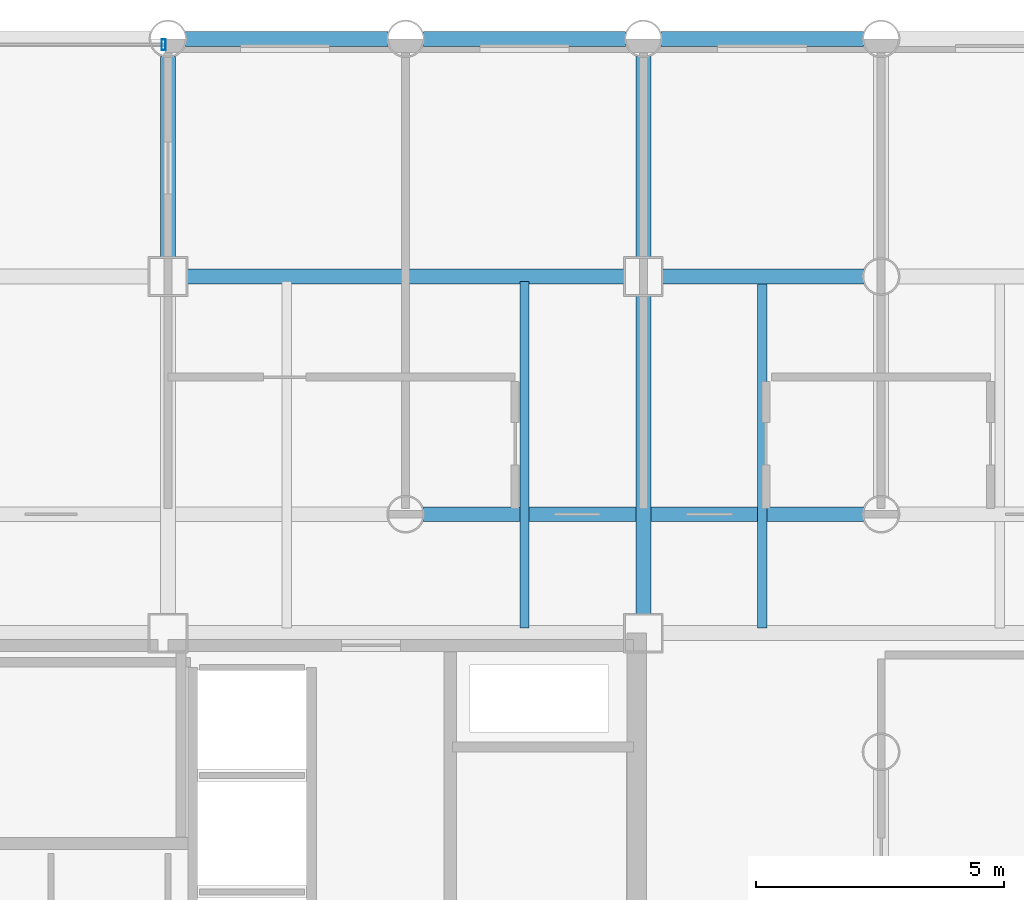
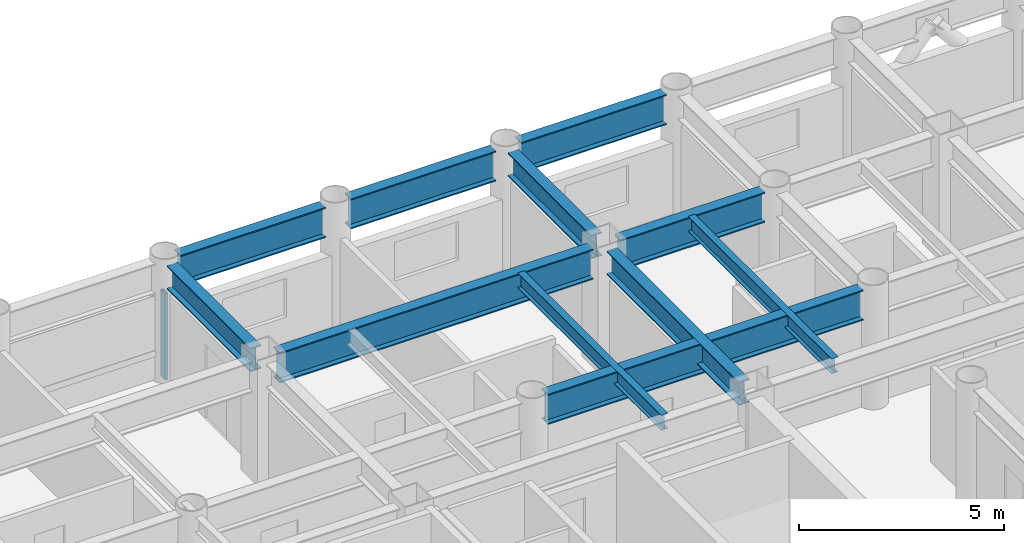
# One storey, part 12 of 20: 11 beams, 1 member, 1 element without a shape of its own.
"""IFC4 building model written with IfcOpenShell, lengths in metres."""

from ifc_helpers import new_model, si_unit, direction, frame, origin, origin_2d, place, context, subcontext, project, spatial, hollow_rectangle, i_section, extrude, material, layer, layer_set, material_profile, profile_set, type_object, element, aggregate, save


model = new_model("IFC4")

# Units and contexts
model_context = context("Model", 3, precision=1e-05, world=origin(), true_north=direction((0.0, 1.0)))
body_context = subcontext(model_context, "Body", "Model", "MODEL_VIEW")
ifc_project = project(units=[si_unit("LENGTHUNIT", "METRE"), si_unit("AREAUNIT", "SQUARE_METRE"), si_unit("VOLUMEUNIT", "CUBIC_METRE"), si_unit("PLANEANGLEUNIT", "RADIAN"), si_unit("MASSUNIT", "GRAM", prefix="KILO")], contexts=[model_context])

# Site, building, storey
site_placement = place(None, origin())
site = spatial("IfcSite", under=ifc_project, at=site_placement, CompositionType="ELEMENT")
building_placement = place(site_placement, origin())
building = spatial("IfcBuilding", under=site, at=building_placement, Name="Kallvorn Hotel Tower", CompositionType="ELEMENT")
storey_placement = place(building_placement, frame((0.0, 0.0, 78.10009765625)))
storey = spatial("IfcBuildingStorey", under=building, at=storey_placement, Name="L18", CompositionType="ELEMENT", Elevation=78.10009765625)

# Beams
ifc_material_1 = material(Name="Structural steel S355JR", Category="steel")
ifc_material_profile_1 = material_profile(ifc_material_1, i_section(OverallWidth=0.300048828125, OverallDepth=0.699951171875, WebThickness=0.01708984375, FlangeThickness=0.031982421875, at=origin_2d()), Name="HE 700 B")
ifc_profile_set_1 = profile_set([ifc_material_profile_1], Name="Structural steel S355JR")
beam_type_1 = type_object("IfcBeamType", Name="BM_HE700B", PredefinedType="BEAM", material=ifc_profile_set_1)
beam_1_placement = place(storey_placement, frame((4.800048828125, 14.77490234375, 3.169921875), z_axis=(0.0, 1.0, 0.0), x_axis=(-1.0, 0.0, 0.0)))
element("IfcBeam", 1, at=beam_1_placement, inside=storey, type_object=beam_type_1, Name="L19 Primary Y-Girder 117", PredefinedType="BEAM", context=body_context, shape_type="SweptSolid", body=[
    extrude(i_section(OverallWidth=0.300048828125, OverallDepth=0.699951171875, WebThickness=0.01708984375, FlangeThickness=0.031982421875, at=origin_2d()), origin(), (0.0, 0.0, 1.0), 4.069091796875),
])
beam_2_placement = place(storey_placement, frame((14.39990234375, 7.574951171875, 3.169921875), z_axis=(0.0, 1.0, 0.0), x_axis=(-1.0, 0.0, 0.0)))
element("IfcBeam", 2, at=beam_2_placement, inside=storey, type_object=beam_type_1, Name="L19 Primary Y-Girder 124", PredefinedType="BEAM", context=body_context, shape_type="SweptSolid", body=[
    extrude(i_section(OverallWidth=0.300048828125, OverallDepth=0.699951171875, WebThickness=0.01708984375, FlangeThickness=0.031982421875, at=origin_2d()), origin(), (0.0, 0.0, 1.0), 6.449951171875),
])
beam_3_placement = place(storey_placement, frame((14.39990234375, 14.77490234375, 3.169921875), z_axis=(0.0, 1.0, 0.0), x_axis=(-1.0, 0.0, 0.0)))
element("IfcBeam", 3, at=beam_3_placement, inside=storey, type_object=beam_type_1, Name="L19 Primary Y-Girder 125", PredefinedType="BEAM", context=body_context, shape_type="SweptSolid", body=[
    extrude(i_section(OverallWidth=0.300048828125, OverallDepth=0.699951171875, WebThickness=0.01708984375, FlangeThickness=0.031982421875, at=origin_2d()), origin(), (0.0, 0.0, 1.0), 4.069091796875),
])
ifc_material_2 = material(Name="Structural steel S355JR", Category="steel")
ifc_material_profile_2 = material_profile(ifc_material_2, i_section(OverallWidth=0.300048828125, OverallDepth=0.89990234375, WebThickness=0.0185546875, FlangeThickness=0.034912109375, at=origin_2d()), Name="HE 900 B")
ifc_profile_set_2 = profile_set([ifc_material_profile_2], Name="Structural steel S355JR")
beam_type_2 = type_object("IfcBeamType", Name="BM_HE900B", PredefinedType="BEAM", material=ifc_profile_set_2)
beam_4_placement = place(storey_placement, frame((9.9560546875, 9.60009765625, 3.06982421875), z_axis=(1.0, 0.0, 0.0), x_axis=(0.0, 1.0, 0.0)))
element("IfcBeam", 4, at=beam_4_placement, inside=storey, type_object=beam_type_2, Name="L19 Primary X-Girder 47", PredefinedType="BEAM", context=body_context, shape_type="SweptSolid", body=[
    extrude(i_section(OverallWidth=0.300048828125, OverallDepth=0.89990234375, WebThickness=0.0185546875, FlangeThickness=0.034912109375, at=origin_2d()), origin(), (0.0, 0.0, 1.0), 8.887939453125),
])
beam_5_placement = place(storey_placement, frame((5.175048828125, 14.39990234375, 3.06982421875), z_axis=(1.0, 0.0, 0.0), x_axis=(0.0, 1.0, 0.0)))
element("IfcBeam", 5, at=beam_5_placement, inside=storey, type_object=beam_type_2, Name="L19 Primary X-Girder 56", PredefinedType="BEAM", context=body_context, shape_type="SweptSolid", body=[
    extrude(i_section(OverallWidth=0.300048828125, OverallDepth=0.89990234375, WebThickness=0.0185546875, FlangeThickness=0.034912109375, at=origin_2d()), origin(), (0.0, 0.0, 1.0), 8.849853515625),
])
beam_6_placement = place(storey_placement, frame((14.77490234375, 14.39990234375, 3.06982421875), z_axis=(1.0, 0.0, 0.0), x_axis=(0.0, 1.0, 0.0)))
element("IfcBeam", 6, at=beam_6_placement, inside=storey, type_object=beam_type_2, Name="L19 Primary X-Girder 57", PredefinedType="BEAM", context=body_context, shape_type="SweptSolid", body=[
    extrude(i_section(OverallWidth=0.300048828125, OverallDepth=0.89990234375, WebThickness=0.0185546875, FlangeThickness=0.034912109375, at=origin_2d()), origin(), (0.0, 0.0, 1.0), 4.069091796875),
])
for number, where, z_axis, x_axis, name in (
    (7, (5.156005859375, 19.199951171875, 3.06982421875), (1.0, 0.0, 0.0), (0.0, 1.0, 0.0), "L19 Primary X-Girder 68"),
    (8, (9.9560546875, 19.199951171875, 3.06982421875), (1.0, 0.0, 0.0), (0.0, 1.0, 0.0), "L19 Primary X-Girder 69"),
    (9, (14.756103515625, 19.199951171875, 3.06982421875), (1.0, 0.0, 0.0), (0.0, 1.0, 0.0), "L19 Primary X-Girder 70"),
):
    element("IfcBeam", number, at=place(storey_placement, frame(where, z_axis=z_axis, x_axis=x_axis)), inside=storey, type_object=beam_type_2, Name=name, PredefinedType="BEAM", context=body_context, shape_type="SweptSolid", body=[
        extrude(i_section(OverallWidth=0.300048828125, OverallDepth=0.89990234375, WebThickness=0.0185546875, FlangeThickness=0.034912109375, at=origin_2d()), origin(), (0.0, 0.0, 1.0), 4.087890625),
    ])
ifc_material_3 = material(Name="Structural steel S355JR", Category="steel")
ifc_material_profile_3 = material_profile(ifc_material_3, i_section(OverallWidth=0.18994140625, OverallDepth=0.449951171875, WebThickness=0.009521484375, FlangeThickness=0.0146484375, at=origin_2d()), Name="IPE 450")
ifc_profile_set_3 = profile_set([ifc_material_profile_3], Name="Structural steel S355JR")
beam_type_3 = type_object("IfcBeamType", Name="BM_IPE450", PredefinedType="JOIST", material=ifc_profile_set_3)
for number, where, z_axis, x_axis, name in (
    (10, (12.0, 7.300048828125, 3.294921875), (0.0, 1.0, 0.0), (-1.0, 0.0, 0.0), "L19 Secondary Composite Joist 205"),
    (11, (16.800048828125, 7.300048828125, 3.294921875), (0.0, 1.0, 0.0), (-1.0, 0.0, 0.0), "L19 Secondary Composite Joist 207"),
):
    element("IfcBeam", number, at=place(storey_placement, frame(where, z_axis=z_axis, x_axis=x_axis)), inside=storey, type_object=beam_type_3, Name=name, PredefinedType="JOIST", context=body_context, shape_type="SweptSolid", body=[
        extrude(i_section(OverallWidth=0.18994140625, OverallDepth=0.449951171875, WebThickness=0.009521484375, FlangeThickness=0.0146484375, at=origin_2d()), origin(), (0.0, 0.0, 1.0), 7.0),
    ])

# Curtain wall, member
ifc_material_4 = material(Name="Thermally broken black-anodised aluminium AA 6063-T6", Category="aluminium")
ifc_layer = layer(ifc_material_4, 0.199951171875)
ifc_layer_set = layer_set([ifc_layer], Name="CW_SYS_3_HOTEL_LOW")
curtain_wall_type = type_object("IfcCurtainWallType", Name="CW_SYS_3_HOTEL_LOW", PredefinedType="USERDEFINED", material=ifc_layer_set)
curtain_wall_placement = place(storey_placement, origin())
curtain_wall = element("IfcCurtainWall", 12, at=curtain_wall_placement, inside=storey, type_object=curtain_wall_type, Name="L18 Dark-Glass Curtain Wall CW-L18-NC", ObjectType="UNITISED CURTAIN WALL", PredefinedType="USERDEFINED")
ifc_material_5 = material(Name="Thermally broken black-anodised aluminium AA 6063-T6", Category="aluminium")
ifc_material_profile_4 = material_profile(ifc_material_5, hollow_rectangle(XDim=0.080078125, YDim=0.219970703125, WallThickness=0.0048828125, at=origin_2d()), Name="MUL 220x80")
ifc_profile_set_4 = profile_set([ifc_material_profile_4], Name="Thermally broken black-anodised aluminium AA 6063-T6")
member_type = type_object("IfcMemberType", Name="CW_MULLION_220x80", PredefinedType="MULLION", material=ifc_profile_set_4)
member_placement = place(storey_placement, frame((4.7099609375, 19.080078125, 0.02001953125), z_axis=(0.0, 0.0, 1.0), x_axis=(1.0, 0.0, 0.0)))
member = element("IfcMember", 13, at=member_placement, type_object=member_type, Name="CW-L18-NC Mullion 02", PredefinedType="MULLION", context=body_context, shape_type="SweptSolid", body=[
    extrude(hollow_rectangle(XDim=0.080078125, YDim=0.219970703125, WallThickness=0.0048828125, at=origin_2d()), origin(), (0.0, 0.0, 1.0), 2.579833984375),
])
aggregate(curtain_wall, [member])

save(model, "model.ifc")
